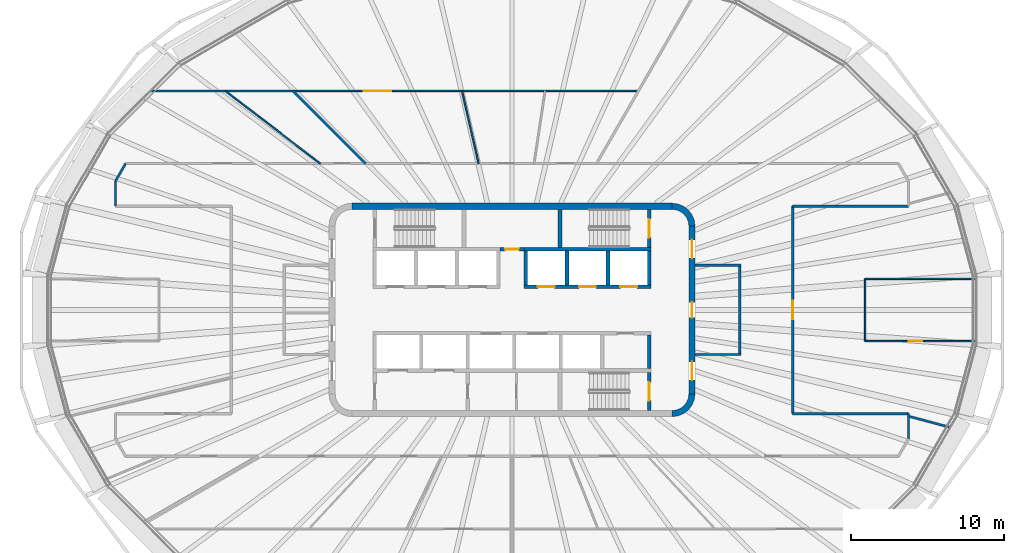
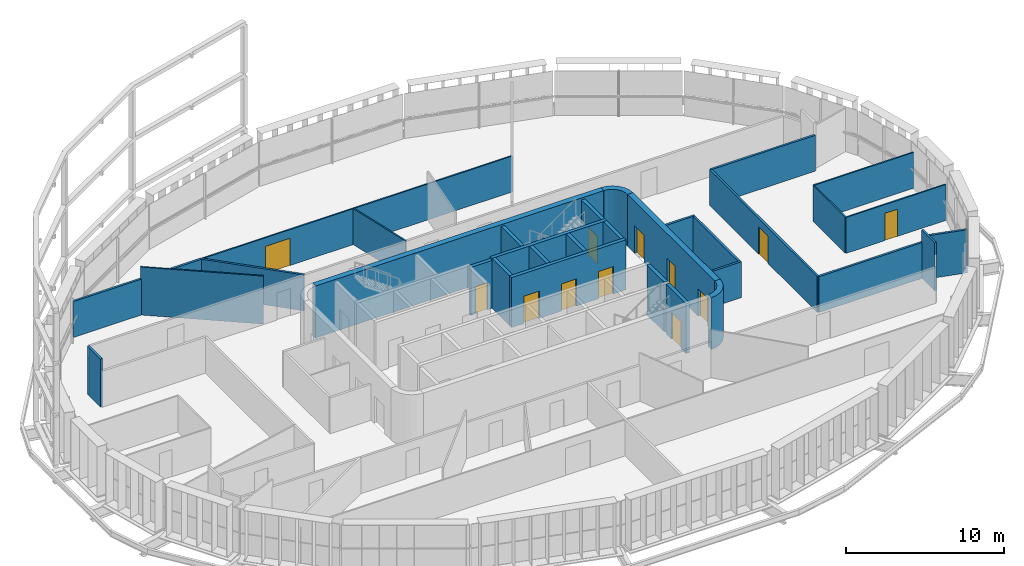
# One storey, part 11 of 20: 33 walls, 12 doors, 12 openings.
"""IFC4 building model written with IfcOpenShell, lengths in metres."""

from ifc_helpers import new_model, si_unit, direction, frame, frame_2d, origin, place, context, subcontext, project, spatial, polyline, rectangle, outline, extrude, material, layer, layer_set, type_object, element, fill, save


model = new_model("IFC4")

# Units and contexts
model_context = context("Model", 3, precision=1e-05, world=origin(), true_north=direction((0.0, 1.0)))
body_context = subcontext(model_context, "Body", "Model", "MODEL_VIEW")
ifc_project = project(units=[si_unit("LENGTHUNIT", "METRE"), si_unit("AREAUNIT", "SQUARE_METRE"), si_unit("VOLUMEUNIT", "CUBIC_METRE"), si_unit("PLANEANGLEUNIT", "RADIAN"), si_unit("MASSUNIT", "GRAM", prefix="KILO")], contexts=[model_context])

# Site, building, storey
site_placement = place(None, origin())
site = spatial("IfcSite", under=ifc_project, at=site_placement, CompositionType="ELEMENT")
building_placement = place(site_placement, origin())
building = spatial("IfcBuilding", under=site, at=building_placement, Name="Sahrelin Media Tower", CompositionType="ELEMENT")
storey_placement = place(building_placement, frame((0.0, 0.0, 237.60009765625)))
storey = spatial("IfcBuildingStorey", under=building, at=storey_placement, Name="L51", CompositionType="ELEMENT", Elevation=237.60009765625)

# Wall
ifc_material_1 = material(Name="Concrete C60/75", Category="concrete")
ifc_layer_1 = layer(ifc_material_1, 0.39990234375)
ifc_layer_set_1 = layer_set([ifc_layer_1], Name="Core wall 400")
wall_type_1 = type_object("IfcWallType", Name="Core wall 400", PredefinedType="SHEAR", material=ifc_layer_set_1)
wall_1_placement = place(storey_placement, frame((-10.5, 6.800048828125, 0.0), z_axis=(0.0, 0.0, 1.0), x_axis=(1.0, 0.0, 0.0)))
element("IfcWall", 1, at=wall_1_placement, inside=storey, type_object=wall_type_1, Name="Core wall N L51", PredefinedType="SHEAR", context=body_context, shape_type="SweptSolid", body=[
    extrude(rectangle(XDim=21.0, YDim=0.39990234375, at=frame_2d((10.5, 0.0))), origin(), (0.0, 0.0, 1.0), 4.0),
])

# Wall, openings, doors
wall_2_placement = place(storey_placement, frame((11.800048828125, -5.5, 0.0), z_axis=(0.0, 0.0, 1.0), x_axis=(0.0, 1.0, 0.0)))
wall_2 = element("IfcWall", 2, at=wall_2_placement, inside=storey, type_object=wall_type_1, Name="Core wall E L51", PredefinedType="SHEAR", context=body_context, shape_type="SweptSolid", body=[
    extrude(rectangle(XDim=11.0, YDim=0.39990234375, at=frame_2d((5.5, 0.0))), origin(), (0.0, 0.0, 1.0), 4.0),
])
opening_1_placement = place(wall_2_placement, frame((5.0, 0.0, 0.0)))
opening_1 = element("IfcOpeningElement", 3, at=opening_1_placement, cuts=wall_2, Name="Opening L51-D11", PredefinedType="OPENING", context=body_context, shape_type="SweptSolid", body=[
    extrude(rectangle(XDim=1.0, YDim=2.10009765625, at=frame_2d((0.5, 1.050048828125))), frame((0.0, 0.199951171875, 0.0), z_axis=(0.0, -1.0, 0.0), x_axis=(1.0, 0.0, 0.0)), (0.0, 0.0, 1.0), 0.39990234375),
])
opening_2_placement = place(wall_2_placement, frame((0.89990234375, 0.0, 0.0)))
opening_2 = element("IfcOpeningElement", 4, at=opening_2_placement, cuts=wall_2, Name="Opening L51-D14", PredefinedType="OPENING", context=body_context, shape_type="SweptSolid", body=[
    extrude(rectangle(XDim=1.199951171875, YDim=2.10009765625, at=frame_2d((0.60009765625, 1.050048828125))), frame((0.0, 0.199951171875, 0.0), z_axis=(0.0, -1.0, 0.0), x_axis=(1.0, 0.0, 0.0)), (0.0, 0.0, 1.0), 0.39990234375),
])
opening_3_placement = place(wall_2_placement, frame((8.89990234375, 0.0, 0.0)))
opening_3 = element("IfcOpeningElement", 5, at=opening_3_placement, cuts=wall_2, Name="Opening L51-D15", PredefinedType="OPENING", context=body_context, shape_type="SweptSolid", body=[
    extrude(rectangle(XDim=1.199951171875, YDim=2.10009765625, at=frame_2d((0.60009765625, 1.050048828125))), frame((0.0, 0.199951171875, 0.0), z_axis=(0.0, -1.0, 0.0), x_axis=(1.0, 0.0, 0.0)), (0.0, 0.0, 1.0), 0.39990234375),
])
ifc_material_2 = material(Name="Steel fire door leaf", Category="steel")
door_type_1 = type_object("IfcDoorType", Name="Fire door 1000 x 2100 EI 60", OperationType="NOTDEFINED", PredefinedType="DOOR", material=ifc_material_2)
door_1_placement = place(opening_1_placement, origin())
door_1 = element("IfcDoor", 6, at=door_1_placement, inside=storey, type_object=door_type_1, Name="Core room door", OperationType="SINGLE_SWING_RIGHT", OverallHeight=2.10009765625, OverallWidth=1.0, PredefinedType="DOOR", context=body_context, shape_type="SweptSolid", body=[
    extrude(rectangle(XDim=1.0, YDim=2.10009765625, at=frame_2d((0.5, 1.050048828125))), frame((0.0, 0.02490234375, 0.0), z_axis=(0.0, -1.0, 0.0), x_axis=(1.0, 0.0, 0.0)), (0.0, 0.0, 1.0), 0.050048828125),
])
fill(opening_1, door_1)
door_type_2 = type_object("IfcDoorType", Name="Lobby door 1200 x 2100 EI 60", OperationType="NOTDEFINED", PredefinedType="DOOR", material=ifc_material_2)
door_2_placement = place(opening_2_placement, origin())
door_2 = element("IfcDoor", 7, at=door_2_placement, inside=storey, type_object=door_type_2, Name="Lobby door", OperationType="SINGLE_SWING_LEFT", OverallHeight=2.10009765625, OverallWidth=1.199951171875, PredefinedType="DOOR", context=body_context, shape_type="SweptSolid", body=[
    extrude(rectangle(XDim=1.199951171875, YDim=2.10009765625, at=frame_2d((0.60009765625, 1.050048828125))), frame((0.0, 0.02490234375, 0.0), z_axis=(0.0, -1.0, 0.0), x_axis=(1.0, 0.0, 0.0)), (0.0, 0.0, 1.0), 0.050048828125),
])
fill(opening_2, door_2)
door_3_placement = place(opening_3_placement, origin())
door_3 = element("IfcDoor", 8, at=door_3_placement, inside=storey, type_object=door_type_2, Name="Lobby door", OperationType="SINGLE_SWING_LEFT", OverallHeight=2.10009765625, OverallWidth=1.199951171875, PredefinedType="DOOR", context=body_context, shape_type="SweptSolid", body=[
    extrude(rectangle(XDim=1.199951171875, YDim=2.10009765625, at=frame_2d((0.60009765625, 1.050048828125))), frame((0.0, 0.02490234375, 0.0), z_axis=(0.0, -1.0, 0.0), x_axis=(1.0, 0.0, 0.0)), (0.0, 0.0, 1.0), 0.050048828125),
])
fill(opening_3, door_3)

# Walls
placement = place(storey_placement, origin())
element("IfcWall", 9, at=placement, inside=storey, type_object=wall_type_1, Name="Core wall corner NE L51", PredefinedType="SHEAR", context=body_context, shape_type="SweptSolid", body=[
    extrude(outline(polyline([(10.5, 7.0), (10.5, 6.596435546875), (10.78369140625, 6.55908203125), (11.04833984375, 6.44970703125), (11.275390625, 6.275390625), (11.44970703125, 6.04833984375), (11.55908203125, 5.78369140625), (11.596435546875, 5.5), (12.0, 5.5), (11.948974609375, 5.88818359375), (11.799072265625, 6.25), (11.560791015625, 6.560791015625), (11.25, 6.799072265625), (10.88818359375, 6.948974609375), (10.5, 7.0)])), origin(), (0.0, 0.0, 1.0), 4.0),
])
element("IfcWall", 10, at=placement, inside=storey, type_object=wall_type_1, Name="Core wall corner SE L51", PredefinedType="SHEAR", context=body_context, shape_type="SweptSolid", body=[
    extrude(outline(polyline([(12.0, -5.5), (11.596435546875, -5.5), (11.55908203125, -5.78369140625), (11.44970703125, -6.04833984375), (11.275390625, -6.275390625), (11.04833984375, -6.44970703125), (10.78369140625, -6.55908203125), (10.5, -6.596435546875), (10.5, -7.0), (10.88818359375, -6.948974609375), (11.25, -6.799072265625), (11.560791015625, -6.560791015625), (11.799072265625, -6.25), (11.948974609375, -5.88818359375), (12.0, -5.5)])), origin(), (0.0, 0.0, 1.0), 4.0),
])

# Wall, opening, door
ifc_material_3 = material(Name="Fire-rated gypsum board partition")
ifc_layer_2 = layer(ifc_material_3, 0.25)
ifc_layer_set_2 = layer_set([ifc_layer_2], Name="Fire-rated lobby wall 250")
wall_type_2 = type_object("IfcWallType", Name="Fire-rated lobby wall 250", PredefinedType="PARTITIONING", material=ifc_layer_set_2)
wall_5_placement = place(storey_placement, frame((-0.77490234375, 3.97509765625, 0.0), z_axis=(0.0, 0.0, 1.0), x_axis=(1.0, 0.0, 0.0)))
wall_5 = element("IfcWall", 11, at=wall_5_placement, inside=storey, type_object=wall_type_2, Name="Core lobby wall", PredefinedType="PARTITIONING", context=body_context, shape_type="SweptSolid", body=[
    extrude(rectangle(XDim=1.5498046875, YDim=0.25, at=frame_2d((0.77490234375, 0.0))), origin(), (0.0, 0.0, 1.0), 3.699951171875),
])
opening_4_placement = place(wall_5_placement, frame((0.324951171875, 0.0, 0.0)))
opening_4 = element("IfcOpeningElement", 12, at=opening_4_placement, cuts=wall_5, Name="Opening L51-D06", PredefinedType="OPENING", context=body_context, shape_type="SweptSolid", body=[
    extrude(rectangle(XDim=0.89990234375, YDim=2.10009765625, at=frame_2d((0.449951171875, 1.050048828125))), frame((0.0, 0.125, 0.0), z_axis=(0.0, -1.0, 0.0), x_axis=(1.0, 0.0, 0.0)), (0.0, 0.0, 1.0), 0.25),
])
door_type_3 = type_object("IfcDoorType", Name="Riser door 900 x 2100 EI 120", OperationType="NOTDEFINED", PredefinedType="DOOR", material=ifc_material_2)
door_4_placement = place(opening_4_placement, origin())
door_4 = element("IfcDoor", 13, at=door_4_placement, inside=storey, type_object=door_type_3, Name="Core room door", OperationType="SINGLE_SWING_LEFT", OverallHeight=2.10009765625, OverallWidth=0.89990234375, PredefinedType="DOOR", context=body_context, shape_type="SweptSolid", body=[
    extrude(rectangle(XDim=0.89990234375, YDim=2.10009765625, at=frame_2d((0.449951171875, 1.050048828125))), frame((0.0, 0.02490234375, 0.0), z_axis=(0.0, -1.0, 0.0), x_axis=(1.0, 0.0, 0.0)), (0.0, 0.0, 1.0), 0.050048828125),
])
fill(opening_4, door_4)

# Walls
ifc_layer_3 = layer(ifc_material_3, 0.14990234375)
ifc_layer_set_3 = layer_set([ifc_layer_3], Name="Fire-rated partition 150")
wall_type_3 = type_object("IfcWallType", Name="Fire-rated partition 150", PredefinedType="PARTITIONING", material=ifc_layer_set_3)
wall_6_placement = place(storey_placement, frame((14.925048828125, -2.85009765625, 0.0), z_axis=(0.0, 0.0, 1.0), x_axis=(0.0, 1.0, 0.0)))
element("IfcWall", 14, at=wall_6_placement, inside=storey, type_object=wall_type_3, Name="Core room fire partition", PredefinedType="PARTITIONING", context=body_context, shape_type="SweptSolid", body=[
    extrude(rectangle(XDim=5.7001953125, YDim=0.14990234375, at=frame_2d((2.85009765625, 0.0))), origin(), (0.0, 0.0, 1.0), 2.76806640625),
])
for number, where, z_axis, x_axis, name in (
    (15, (12.0, 2.925048828125, 0.0), (0.0, 0.0, 1.0), (1.0, 0.0, 0.0), "Core room fire partition"),
    (16, (12.0, -2.925048828125, 0.0), (0.0, 0.0, 1.0), (1.0, 0.0, 0.0), "Core room fire partition"),
):
    element("IfcWall", number, at=place(storey_placement, frame(where, z_axis=z_axis, x_axis=x_axis)), inside=storey, type_object=wall_type_3, Name=name, PredefinedType="PARTITIONING", context=body_context, shape_type="SweptSolid", body=[
        extrude(rectangle(XDim=3.0, YDim=0.14990234375, at=frame_2d((1.5, 0.0))), origin(), (0.0, 0.0, 1.0), 2.76806640625),
    ])
wall_7_placement = place(storey_placement, frame((-14.360107421875, 14.360107421875, 0.0), z_axis=(0.0, 0.0, 1.0), x_axis=(0.707106781187, -0.707106781187, 0.0)))
element("IfcWall", 17, at=wall_7_placement, inside=storey, type_object=wall_type_3, Name="Wall", PredefinedType="PARTITIONING", context=body_context, shape_type="SweptSolid", body=[
    extrude(rectangle(XDim=6.731689453125, YDim=0.14990234375, at=frame_2d((3.36572265625, 0.0))), origin(), (0.0, 0.0, 1.0), 2.76806640625),
])
wall_8_placement = place(storey_placement, frame((26.0, -6.967041015625, 0.0), z_axis=(0.0, 0.0, 1.0), x_axis=(0.965928451997, -0.258809245628, 0.0)))
element("IfcWall", 18, at=wall_8_placement, inside=storey, type_object=wall_type_3, Name="Wall", PredefinedType="PARTITIONING", context=body_context, shape_type="SweptSolid", body=[
    extrude(rectangle(XDim=2.835693359375, YDim=0.14990234375, at=frame_2d((1.41796875, 0.0))), origin(), (0.0, 0.0, 1.0), 3.324951171875),
])
for number, where, z_axis, x_axis, name in (
    (19, (18.39990234375, -6.800048828125, 0.0), (0.0, 0.0, 1.0), (1.0, 0.0, 0.0), "Wall"),
    (20, (18.39990234375, 6.800048828125, 0.0), (0.0, 0.0, 1.0), (1.0, 0.0, 0.0), "Wall"),
):
    element("IfcWall", number, at=place(storey_placement, frame(where, z_axis=z_axis, x_axis=x_axis)), inside=storey, type_object=wall_type_3, Name=name, PredefinedType="PARTITIONING", context=body_context, shape_type="SweptSolid", body=[
        extrude(rectangle(XDim=7.60009765625, YDim=0.14990234375, at=frame_2d((3.800048828125, 0.0))), origin(), (0.0, 0.0, 1.0), 2.76806640625),
    ])
wall_9_placement = place(storey_placement, frame((-23.7099609375, 14.360107421875, 0.0), z_axis=(0.0, 0.0, 1.0), x_axis=(1.0, 0.0, 0.0)))
element("IfcWall", 21, at=wall_9_placement, inside=storey, type_object=wall_type_3, Name="Wall", PredefinedType="PARTITIONING", context=body_context, shape_type="SweptSolid", body=[
    extrude(rectangle(XDim=9.349853515625, YDim=0.14990234375, at=frame_2d((4.6748046875, 0.0))), origin(), (0.0, 0.0, 1.0), 2.76806640625),
])
wall_10_placement = place(storey_placement, frame((-26.0, 8.445068359375, 0.0), z_axis=(0.0, 0.0, 1.0), x_axis=(0.500076310463, 0.865981341435, 0.0)))
element("IfcWall", 22, at=wall_10_placement, inside=storey, type_object=wall_type_3, Name="Wall", PredefinedType="PARTITIONING", context=body_context, shape_type="SweptSolid", body=[
    extrude(rectangle(XDim=1.333740234375, YDim=0.14990234375, at=frame_2d((0.6669921875, 0.0))), origin(), (0.0, 0.0, 1.0), 2.76806640625),
])
wall_11_placement = place(storey_placement, frame((26.0, -8.445068359375, 0.0), z_axis=(0.0, 0.0, 1.0), x_axis=(0.0, 1.0, 0.0)))
element("IfcWall", 23, at=wall_11_placement, inside=storey, type_object=wall_type_3, Name="Wall", PredefinedType="PARTITIONING", context=body_context, shape_type="SweptSolid", body=[
    extrude(rectangle(XDim=1.64501953125, YDim=0.14990234375, at=frame_2d((0.822509765625, 0.0))), origin(), (0.0, 0.0, 1.0), 3.699951171875),
])

# Wall, opening, door
wall_12_placement = place(storey_placement, frame((18.39990234375, -6.800048828125, 0.0), z_axis=(0.0, 0.0, 1.0), x_axis=(0.0, 1.0, 0.0)))
wall_12 = element("IfcWall", 24, at=wall_12_placement, inside=storey, type_object=wall_type_3, Name="Wall", PredefinedType="PARTITIONING", context=body_context, shape_type="SweptSolid", body=[
    extrude(rectangle(XDim=13.60009765625, YDim=0.14990234375, at=frame_2d((6.800048828125, 0.0))), origin(), (0.0, 0.0, 1.0), 2.76806640625),
])
opening_5_placement = place(wall_12_placement, frame((6.199951171875, 0.0, 0.0)))
opening_5 = element("IfcOpeningElement", 25, at=opening_5_placement, cuts=wall_12, Name="Opening L51-D16", PredefinedType="OPENING", context=body_context, shape_type="SweptSolid", body=[
    extrude(rectangle(XDim=1.199951171875, YDim=2.10009765625, at=frame_2d((0.60009765625, 1.050048828125))), frame((0.0, 0.074951171875, 0.0), z_axis=(0.0, -1.0, 0.0), x_axis=(1.0, 0.0, 0.0)), (0.0, 0.0, 1.0), 0.14990234375),
])
door_type_4 = type_object("IfcDoorType", Name="Service double door 1200 x 2100 EI 60", OperationType="DOUBLE_DOOR_SINGLE_SWING", PredefinedType="DOOR", material=ifc_material_2)
door_5_placement = place(opening_5_placement, origin())
door_5 = element("IfcDoor", 26, at=door_5_placement, inside=storey, type_object=door_type_4, Name="Service double door", OperationType="DOUBLE_DOOR_SINGLE_SWING", OverallHeight=2.10009765625, OverallWidth=1.199951171875, PredefinedType="DOOR", context=body_context, shape_type="SweptSolid", body=[
    extrude(rectangle(XDim=1.199951171875, YDim=2.10009765625, at=frame_2d((0.60009765625, 1.050048828125))), frame((0.0, 0.02490234375, 0.0), z_axis=(0.0, -1.0, 0.0), x_axis=(1.0, 0.0, 0.0)), (0.0, 0.0, 1.0), 0.050048828125),
])
fill(opening_5, door_5)

# Wall
wall_13_placement = place(storey_placement, frame((-26.0, 6.800048828125, 0.0), z_axis=(0.0, 0.0, 1.0), x_axis=(0.0, 1.0, 0.0)))
element("IfcWall", 27, at=wall_13_placement, inside=storey, type_object=wall_type_3, Name="Wall", PredefinedType="PARTITIONING", context=body_context, shape_type="SweptSolid", body=[
    extrude(rectangle(XDim=1.64501953125, YDim=0.14990234375, at=frame_2d((0.822509765625, 0.0))), origin(), (0.0, 0.0, 1.0), 3.699951171875),
])

# Wall, openings, doors
ifc_layer_4 = layer(ifc_material_1, 0.25)
ifc_layer_set_4 = layer_set([ifc_layer_4], Name="Lift shaft wall 250")
wall_type_4 = type_object("IfcWallType", Name="Lift shaft wall 250", PredefinedType="SOLIDWALL", material=ifc_layer_set_4)
wall_14_placement = place(storey_placement, frame((0.77490234375, 1.52490234375, 0.0), z_axis=(0.0, 0.0, 1.0), x_axis=(1.0, 0.0, 0.0)))
wall_14 = element("IfcWall", 28, at=wall_14_placement, inside=storey, type_object=wall_type_4, Name="Lift shaft wall", PredefinedType="SOLIDWALL", context=body_context, shape_type="SweptSolid", body=[
    extrude(rectangle(XDim=8.35009765625, YDim=0.25, at=frame_2d((4.175048828125, 0.0))), origin(), (0.0, 0.0, 1.0), 3.849853515625),
])
opening_6_placement = place(wall_14_placement, frame((0.925048828125, 0.0, 0.0)))
opening_6 = element("IfcOpeningElement", 29, at=opening_6_placement, cuts=wall_14, Name="Opening L51-LD-HR4", PredefinedType="OPENING", context=body_context, shape_type="SweptSolid", body=[
    extrude(rectangle(XDim=1.10009765625, YDim=2.10009765625, at=frame_2d((0.550048828125, 1.050048828125))), frame((0.0, 0.125, 0.0), z_axis=(0.0, -1.0, 0.0), x_axis=(1.0, 0.0, 0.0)), (0.0, 0.0, 1.0), 0.25),
])
opening_7_placement = place(wall_14_placement, frame((3.625, 0.0, 0.0)))
opening_7 = element("IfcOpeningElement", 30, at=opening_7_placement, cuts=wall_14, Name="Opening L51-LD-HR5", PredefinedType="OPENING", context=body_context, shape_type="SweptSolid", body=[
    extrude(rectangle(XDim=1.10009765625, YDim=2.10009765625, at=frame_2d((0.550048828125, 1.050048828125))), frame((0.0, 0.125, 0.0), z_axis=(0.0, -1.0, 0.0), x_axis=(1.0, 0.0, 0.0)), (0.0, 0.0, 1.0), 0.25),
])
opening_8_placement = place(wall_14_placement, frame((6.324951171875, 0.0, 0.0)))
opening_8 = element("IfcOpeningElement", 31, at=opening_8_placement, cuts=wall_14, Name="Opening L51-LD-HR6", PredefinedType="OPENING", context=body_context, shape_type="SweptSolid", body=[
    extrude(rectangle(XDim=1.10009765625, YDim=2.10009765625, at=frame_2d((0.550048828125, 1.050048828125))), frame((0.0, 0.125, 0.0), z_axis=(0.0, -1.0, 0.0), x_axis=(1.0, 0.0, 0.0)), (0.0, 0.0, 1.0), 0.25),
])
ifc_material_4 = material(Name="Stainless steel", Category="steel")
door_type_5 = type_object("IfcDoorType", Name="Lift landing door 1100 x 2100 EI 120", OperationType="DOUBLE_DOOR_SLIDING", PredefinedType="DOOR", material=ifc_material_4)
door_6_placement = place(opening_6_placement, origin())
door_6 = element("IfcDoor", 32, at=door_6_placement, inside=storey, type_object=door_type_5, Name="Lift landing door HR4", OperationType="DOUBLE_DOOR_SLIDING", OverallHeight=2.10009765625, OverallWidth=1.10009765625, PredefinedType="DOOR", context=body_context, shape_type="SweptSolid", body=[
    extrude(rectangle(XDim=1.10009765625, YDim=2.10009765625, at=frame_2d((0.550048828125, 1.050048828125))), frame((0.0, 0.02490234375, 0.0), z_axis=(0.0, -1.0, 0.0), x_axis=(1.0, 0.0, 0.0)), (0.0, 0.0, 1.0), 0.050048828125),
])
fill(opening_6, door_6)
door_7_placement = place(opening_7_placement, origin())
door_7 = element("IfcDoor", 33, at=door_7_placement, inside=storey, type_object=door_type_5, Name="Lift landing door HR5", OperationType="DOUBLE_DOOR_SLIDING", OverallHeight=2.10009765625, OverallWidth=1.10009765625, PredefinedType="DOOR", context=body_context, shape_type="SweptSolid", body=[
    extrude(rectangle(XDim=1.10009765625, YDim=2.10009765625, at=frame_2d((0.550048828125, 1.050048828125))), frame((0.0, 0.02490234375, 0.0), z_axis=(0.0, -1.0, 0.0), x_axis=(1.0, 0.0, 0.0)), (0.0, 0.0, 1.0), 0.050048828125),
])
fill(opening_7, door_7)
door_8_placement = place(opening_8_placement, origin())
door_8 = element("IfcDoor", 34, at=door_8_placement, inside=storey, type_object=door_type_5, Name="Lift landing door HR6", OperationType="DOUBLE_DOOR_SLIDING", OverallHeight=2.10009765625, OverallWidth=1.10009765625, PredefinedType="DOOR", context=body_context, shape_type="SweptSolid", body=[
    extrude(rectangle(XDim=1.10009765625, YDim=2.10009765625, at=frame_2d((0.550048828125, 1.050048828125))), frame((0.0, 0.02490234375, 0.0), z_axis=(0.0, -1.0, 0.0), x_axis=(1.0, 0.0, 0.0)), (0.0, 0.0, 1.0), 0.050048828125),
])
fill(opening_8, door_8)

# Walls
wall_15_placement = place(storey_placement, frame((0.77490234375, 3.97509765625, 0.0), z_axis=(0.0, 0.0, 1.0), x_axis=(1.0, 0.0, 0.0)))
element("IfcWall", 35, at=wall_15_placement, inside=storey, type_object=wall_type_4, Name="Lift shaft wall", PredefinedType="SOLIDWALL", context=body_context, shape_type="SweptSolid", body=[
    extrude(rectangle(XDim=8.35009765625, YDim=0.25, at=frame_2d((4.175048828125, 0.0))), origin(), (0.0, 0.0, 1.0), 3.849853515625),
])
for number, where, z_axis, x_axis, name in (
    (36, (9.0, 1.64990234375, 0.0), (0.0, 0.0, 1.0), (0.0, 1.0, 0.0), "Lift shaft wall"),
    (37, (6.300048828125, 1.64990234375, 0.0), (0.0, 0.0, 1.0), (0.0, 1.0, 0.0), "Lift shaft wall"),
    (38, (3.60009765625, 1.64990234375, 0.0), (0.0, 0.0, 1.0), (0.0, 1.0, 0.0), "Lift shaft wall"),
    (39, (0.89990234375, 1.64990234375, 0.0), (0.0, 0.0, 1.0), (0.0, 1.0, 0.0), "Lift shaft wall"),
    (40, (9.0, -3.85009765625, 0.0), (0.0, 0.0, 1.0), (0.0, 1.0, 0.0), "Lift shaft wall"),
):
    element("IfcWall", number, at=place(storey_placement, frame(where, z_axis=z_axis, x_axis=x_axis)), inside=storey, type_object=wall_type_4, Name=name, PredefinedType="SOLIDWALL", context=body_context, shape_type="SweptSolid", body=[
        extrude(rectangle(XDim=2.2001953125, YDim=0.25, at=frame_2d((1.10009765625, 0.0))), origin(), (0.0, 0.0, 1.0), 3.849853515625),
    ])
ifc_material_5 = material(Name="Gypsum board partition")
ifc_layer_5 = layer(ifc_material_5, 0.10009765625)
ifc_layer_set_5 = layer_set([ifc_layer_5], Name="Partition 100")
wall_type_5 = type_object("IfcWallType", Name="Partition 100", PredefinedType="PARTITIONING", material=ifc_layer_set_5)
wall_16_placement = place(storey_placement, frame((-3.277099609375, 14.360107421875, 0.0), z_axis=(0.0, 0.0, 1.0), x_axis=(0.222470409815, -0.97493944261, 0.0)))
element("IfcWall", 41, at=wall_16_placement, inside=storey, type_object=wall_type_5, Name="Wall", PredefinedType="PARTITIONING", context=body_context, shape_type="SweptSolid", body=[
    extrude(rectangle(XDim=4.88232421875, YDim=0.10009765625, at=frame_2d((2.441162109375, 0.0))), origin(), (0.0, 0.0, 1.0), 2.76806640625),
])
wall_17_placement = place(storey_placement, frame((-18.797119140625, 14.360107421875, 0.0), z_axis=(0.0, 0.0, 1.0), x_axis=(0.794667043869, -0.607045541445, 0.0)))
element("IfcWall", 42, at=wall_17_placement, inside=storey, type_object=wall_type_5, Name="Wall", PredefinedType="PARTITIONING", context=body_context, shape_type="SweptSolid", body=[
    extrude(rectangle(XDim=7.84130859375, YDim=0.10009765625, at=frame_2d((3.920654296875, 0.0))), origin(), (0.0, 0.0, 1.0), 3.699951171875),
])

# Wall, opening, door
wall_18_placement = place(storey_placement, frame((23.159912109375, -2.0400390625, 0.0), z_axis=(0.0, 0.0, 1.0), x_axis=(1.0, 0.0, 0.0)))
wall_18 = element("IfcWall", 43, at=wall_18_placement, inside=storey, type_object=wall_type_5, Name="Wall", PredefinedType="PARTITIONING", context=body_context, shape_type="SweptSolid", body=[
    extrude(rectangle(XDim=7.2900390625, YDim=0.10009765625, at=frame_2d((3.64501953125, 0.0))), origin(), (0.0, 0.0, 1.0), 2.76806640625),
])
opening_9_placement = place(wall_18_placement, frame((2.8388671875, 0.0, 0.0)))
opening_9 = element("IfcOpeningElement", 44, at=opening_9_placement, cuts=wall_18, Name="Opening L51-D18", PredefinedType="OPENING", context=body_context, shape_type="SweptSolid", body=[
    extrude(rectangle(XDim=0.89990234375, YDim=2.10009765625, at=frame_2d((0.449951171875, 1.050048828125))), frame((0.0, 0.050048828125, 0.0), z_axis=(0.0, -1.0, 0.0), x_axis=(1.0, 0.0, 0.0)), (0.0, 0.0, 1.0), 0.10009765625),
])
ifc_material_6 = material(Name="Timber door leaf", Category="wood")
door_type_6 = type_object("IfcDoorType", Name="Single door 900 x 2100", OperationType="NOTDEFINED", PredefinedType="DOOR", material=ifc_material_6)
door_9_placement = place(opening_9_placement, origin())
door_9 = element("IfcDoor", 45, at=door_9_placement, inside=storey, type_object=door_type_6, Name="Single door", OperationType="SINGLE_SWING_RIGHT", OverallHeight=2.10009765625, OverallWidth=0.89990234375, PredefinedType="DOOR", context=body_context, shape_type="SweptSolid", body=[
    extrude(rectangle(XDim=0.89990234375, YDim=2.10009765625, at=frame_2d((0.449951171875, 1.050048828125))), frame((0.0, 0.02490234375, 0.0), z_axis=(0.0, -1.0, 0.0), x_axis=(1.0, 0.0, 0.0)), (0.0, 0.0, 1.0), 0.050048828125),
])
fill(opening_9, door_9)

# Wall
wall_19_placement = place(storey_placement, frame((23.159912109375, 2.0400390625, 0.0), z_axis=(0.0, 0.0, 1.0), x_axis=(1.0, 0.0, 0.0)))
element("IfcWall", 46, at=wall_19_placement, inside=storey, type_object=wall_type_5, Name="Wall", PredefinedType="PARTITIONING", context=body_context, shape_type="SweptSolid", body=[
    extrude(rectangle(XDim=7.2900390625, YDim=0.10009765625, at=frame_2d((3.64501953125, 0.0))), origin(), (0.0, 0.0, 1.0), 2.76806640625),
])

# Wall, opening, door
wall_20_placement = place(storey_placement, frame((-14.360107421875, 14.360107421875, 0.0), z_axis=(0.0, 0.0, 1.0), x_axis=(1.0, 0.0, 0.0)))
wall_20 = element("IfcWall", 47, at=wall_20_placement, inside=storey, type_object=wall_type_5, Name="Wall", PredefinedType="PARTITIONING", context=body_context, shape_type="SweptSolid", body=[
    extrude(rectangle(XDim=22.651123046875, YDim=0.10009765625, at=frame_2d((11.32568359375, 0.0))), origin(), (0.0, 0.0, 1.0), 2.76806640625),
])
opening_10_placement = place(wall_20_placement, frame((4.6416015625, 0.0, 0.0)))
opening_10 = element("IfcOpeningElement", 48, at=opening_10_placement, cuts=wall_20, Name="Opening L51-D22", PredefinedType="OPENING", context=body_context, shape_type="SweptSolid", body=[
    extrude(rectangle(XDim=1.800048828125, YDim=2.10009765625, at=frame_2d((0.89990234375, 1.050048828125))), frame((0.0, 0.050048828125, 0.0), z_axis=(0.0, -1.0, 0.0), x_axis=(1.0, 0.0, 0.0)), (0.0, 0.0, 1.0), 0.10009765625),
])
door_type_7 = type_object("IfcDoorType", Name="Double door 1800 x 2100", OperationType="DOUBLE_DOOR_SINGLE_SWING", PredefinedType="DOOR", material=ifc_material_6)
door_10_placement = place(opening_10_placement, origin())
door_10 = element("IfcDoor", 49, at=door_10_placement, inside=storey, type_object=door_type_7, Name="Double door", OperationType="DOUBLE_DOOR_SINGLE_SWING", OverallHeight=2.10009765625, OverallWidth=1.800048828125, PredefinedType="DOOR", context=body_context, shape_type="SweptSolid", body=[
    extrude(rectangle(XDim=1.800048828125, YDim=2.10009765625, at=frame_2d((0.89990234375, 1.050048828125))), frame((0.0, 0.02490234375, 0.0), z_axis=(0.0, -1.0, 0.0), x_axis=(1.0, 0.0, 0.0)), (0.0, 0.0, 1.0), 0.050048828125),
])
fill(opening_10, door_10)

# Wall
wall_21_placement = place(storey_placement, frame((23.159912109375, -2.0400390625, 0.0), z_axis=(0.0, 0.0, 1.0), x_axis=(0.0, 1.0, 0.0)))
element("IfcWall", 50, at=wall_21_placement, inside=storey, type_object=wall_type_5, Name="Wall", PredefinedType="PARTITIONING", context=body_context, shape_type="SweptSolid", body=[
    extrude(rectangle(XDim=4.080078125, YDim=0.10009765625, at=frame_2d((2.0400390625, 0.0))), origin(), (0.0, 0.0, 1.0), 2.76806640625),
])

# Wall, opening, door
ifc_layer_6 = layer(ifc_material_1, 0.25)
ifc_layer_set_6 = layer_set([ifc_layer_6], Name="Stair enclosure wall 250")
wall_type_6 = type_object("IfcWallType", Name="Stair enclosure wall 250", PredefinedType="SOLIDWALL", material=ifc_layer_set_6)
wall_22_placement = place(storey_placement, frame((9.0, 4.10009765625, 0.0), z_axis=(0.0, 0.0, 1.0), x_axis=(0.0, 1.0, 0.0)))
wall_22 = element("IfcWall", 51, at=wall_22_placement, inside=storey, type_object=wall_type_6, Name="Stair enclosure wall", PredefinedType="SOLIDWALL", context=body_context, shape_type="SweptSolid", body=[
    extrude(rectangle(XDim=2.5, YDim=0.25, at=frame_2d((1.25, 0.0))), origin(), (0.0, 0.0, 1.0), 3.849853515625),
])
opening_11_placement = place(wall_22_placement, frame((0.64990234375, 0.0, 0.0)))
opening_11 = element("IfcOpeningElement", 52, at=opening_11_placement, cuts=wall_22, Name="Opening L51-D02", PredefinedType="OPENING", context=body_context, shape_type="SweptSolid", body=[
    extrude(rectangle(XDim=1.199951171875, YDim=2.10009765625, at=frame_2d((0.60009765625, 1.050048828125))), frame((0.0, 0.125, 0.0), z_axis=(0.0, -1.0, 0.0), x_axis=(1.0, 0.0, 0.0)), (0.0, 0.0, 1.0), 0.25),
])
door_type_8 = type_object("IfcDoorType", Name="Stair door 1200 x 2100 EI 120", OperationType="NOTDEFINED", PredefinedType="DOOR", material=ifc_material_2)
door_11_placement = place(opening_11_placement, origin())
door_11 = element("IfcDoor", 53, at=door_11_placement, inside=storey, type_object=door_type_8, Name="Stair door ST3", OperationType="SINGLE_SWING_LEFT", OverallHeight=2.10009765625, OverallWidth=1.199951171875, PredefinedType="DOOR", context=body_context, shape_type="SweptSolid", body=[
    extrude(rectangle(XDim=1.199951171875, YDim=2.10009765625, at=frame_2d((0.60009765625, 1.050048828125))), frame((0.0, 0.02490234375, 0.0), z_axis=(0.0, -1.0, 0.0), x_axis=(1.0, 0.0, 0.0)), (0.0, 0.0, 1.0), 0.050048828125),
])
fill(opening_11, door_11)

wall_23_placement = place(storey_placement, frame((9.0, -6.60009765625, 0.0), z_axis=(0.0, 0.0, 1.0), x_axis=(0.0, 1.0, 0.0)))
wall_23 = element("IfcWall", 54, at=wall_23_placement, inside=storey, type_object=wall_type_6, Name="Stair enclosure wall", PredefinedType="SOLIDWALL", context=body_context, shape_type="SweptSolid", body=[
    extrude(rectangle(XDim=2.5, YDim=0.25, at=frame_2d((1.25, 0.0))), origin(), (0.0, 0.0, 1.0), 3.849853515625),
])
opening_12_placement = place(wall_23_placement, frame((0.64990234375, 0.0, 0.0)))
opening_12 = element("IfcOpeningElement", 55, at=opening_12_placement, cuts=wall_23, Name="Opening L51-D03", PredefinedType="OPENING", context=body_context, shape_type="SweptSolid", body=[
    extrude(rectangle(XDim=1.199951171875, YDim=2.10009765625, at=frame_2d((0.60009765625, 1.050048828125))), frame((0.0, 0.125, 0.0), z_axis=(0.0, -1.0, 0.0), x_axis=(1.0, 0.0, 0.0)), (0.0, 0.0, 1.0), 0.25),
])
door_12_placement = place(opening_12_placement, origin())
door_12 = element("IfcDoor", 56, at=door_12_placement, inside=storey, type_object=door_type_8, Name="Stair door ST2", OperationType="SINGLE_SWING_LEFT", OverallHeight=2.10009765625, OverallWidth=1.199951171875, PredefinedType="DOOR", context=body_context, shape_type="SweptSolid", body=[
    extrude(rectangle(XDim=1.199951171875, YDim=2.10009765625, at=frame_2d((0.60009765625, 1.050048828125))), frame((0.0, 0.02490234375, 0.0), z_axis=(0.0, -1.0, 0.0), x_axis=(1.0, 0.0, 0.0)), (0.0, 0.0, 1.0), 0.050048828125),
])
fill(opening_12, door_12)

# Wall
wall_24_placement = place(storey_placement, frame((3.14990234375, 4.10009765625, 0.0), z_axis=(0.0, 0.0, 1.0), x_axis=(0.0, 1.0, 0.0)))
element("IfcWall", 57, at=wall_24_placement, inside=storey, type_object=wall_type_6, Name="Stair enclosure wall", PredefinedType="SOLIDWALL", context=body_context, shape_type="SweptSolid", body=[
    extrude(rectangle(XDim=2.5, YDim=0.25, at=frame_2d((1.25, 0.0))), origin(), (0.0, 0.0, 1.0), 3.849853515625),
])

save(model, "model.ifc")
